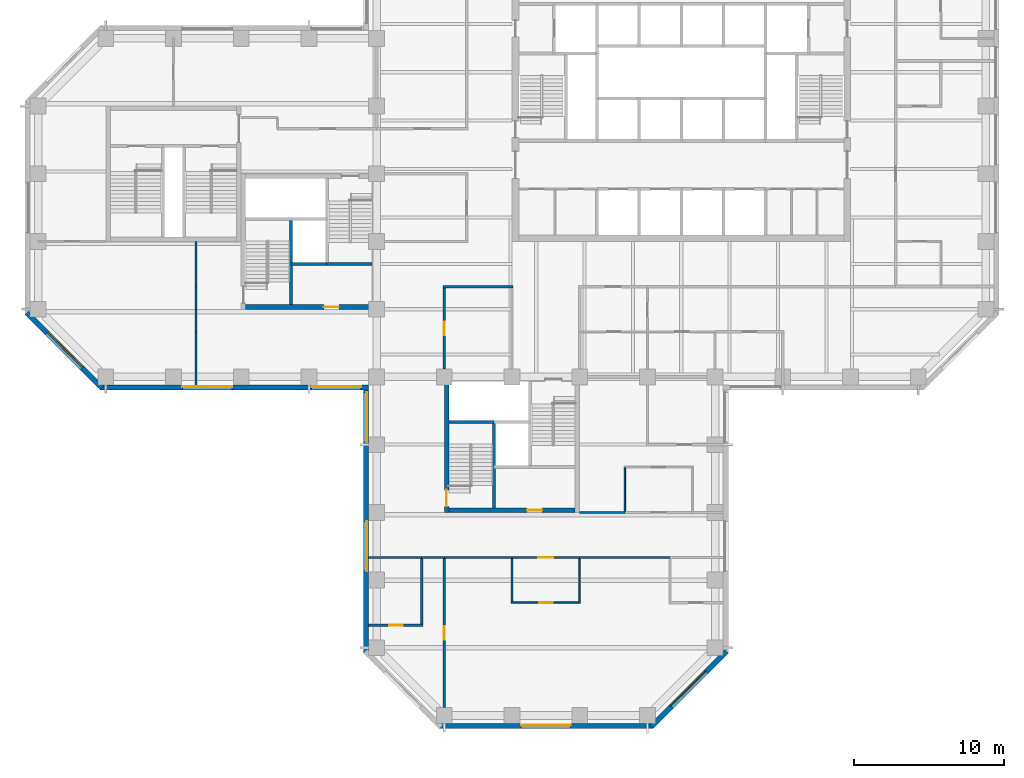
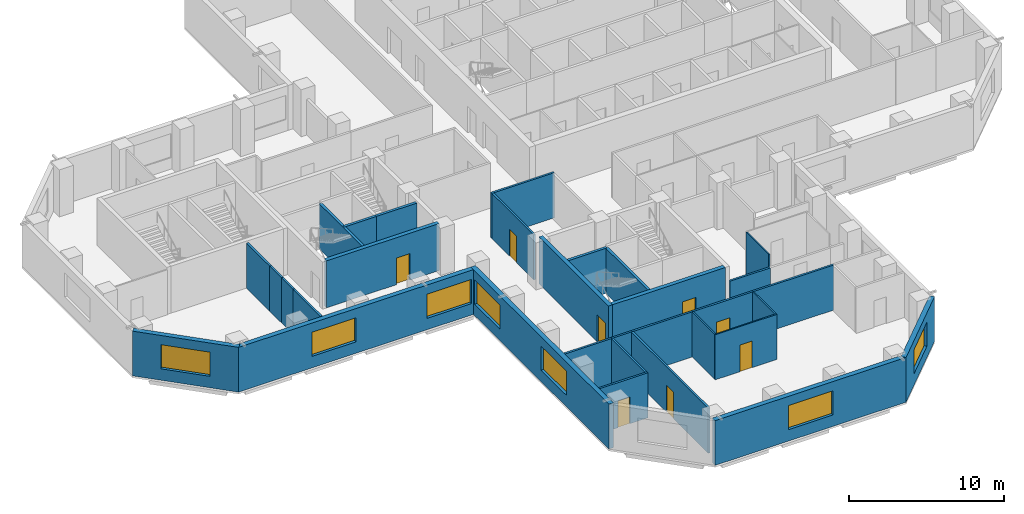
# One storey, part 3 of 11: 32 walls, 8 doors, 7 windows, 15 openings.
"""IFC4 building model written with IfcOpenShell, lengths in metres."""

from ifc_helpers import new_model, si_unit, direction, frame, frame_2d, origin, place, context, subcontext, project, spatial, rectangle, extrude, material, layer, layer_set, constituent, constituent_set, type_object, element, fill, save


model = new_model("IFC4")

# Units and contexts
model_context = context("Model", 3, precision=1e-05, world=origin(), true_north=direction((0.0, 1.0)))
body_context = subcontext(model_context, "Body", "Model", "MODEL_VIEW")
ifc_project = project(units=[si_unit("LENGTHUNIT", "METRE"), si_unit("AREAUNIT", "SQUARE_METRE"), si_unit("VOLUMEUNIT", "CUBIC_METRE"), si_unit("PLANEANGLEUNIT", "RADIAN"), si_unit("MASSUNIT", "GRAM", prefix="KILO")], contexts=[model_context])

# Site, building, storey
site_placement = place(None, origin())
site = spatial("IfcSite", under=ifc_project, at=site_placement, CompositionType="ELEMENT")
building_placement = place(site_placement, origin())
building = spatial("IfcBuilding", under=site, at=building_placement, Name="Quoin Convention Tower", CompositionType="ELEMENT")
storey_placement = place(building_placement, frame((0.0, 0.0, 93.699951171875)))
storey = spatial("IfcBuildingStorey", under=building, at=storey_placement, Name="L24", CompositionType="ELEMENT", Elevation=93.699951171875)

# Wall, opening, door
ifc_material_1 = material(Name="Plasterboard")
ifc_layer_1 = layer(ifc_material_1, 0.012451171875, Name="Finish")
ifc_material_2 = material(Name="Steel stud framing", Category="steel")
ifc_layer_2 = layer(ifc_material_2, 0.125, Name="Structure")
ifc_layer_3 = layer(ifc_material_1, 0.012451171875, Name="Finish")
ifc_layer_set_1 = layer_set([ifc_layer_1, ifc_layer_2, ifc_layer_3], Name="Steel stud framing")
wall_type_1 = type_object("IfcWallType", Name="Acoustic partition 150", PredefinedType="PARTITIONING", material=ifc_layer_set_1)
wall_1_placement = place(storey_placement, frame((35.47509765625, 24.0, 0.0), z_axis=(0.0, 0.0, 1.0), x_axis=(1.0, 0.0, 0.0)))
wall_1 = element("IfcWall", 1, at=wall_1_placement, inside=storey, type_object=wall_type_1, Name="pw-L24-001", PredefinedType="PARTITIONING", context=body_context, shape_type="SweptSolid", body=[
    extrude(rectangle(XDim=3.599853515625, YDim=0.14990234375, at=frame_2d((1.7998046875, 0.0))), origin(), (0.0, 0.0, 1.0), 3.550048828125),
])
opening_1_placement = place(wall_1_placement, frame((1.35009765625, 0.0, 0.0)))
opening_1 = element("IfcOpeningElement", 2, at=opening_1_placement, cuts=wall_1, Name="Opening DOL3-01", PredefinedType="OPENING", context=body_context, shape_type="SweptSolid", body=[
    extrude(rectangle(XDim=0.89990234375, YDim=2.10009765625, at=frame_2d((0.449951171875, 1.050048828125))), frame((0.0, 0.0849609375, 0.0), z_axis=(0.0, -1.0, 0.0), x_axis=(1.0, 0.0, 0.0)), (0.0, 0.0, 1.0), 0.169921875),
])
ifc_material_3 = material(Name="Steel door leaf", Category="steel")
door_type_1 = type_object("IfcDoorType", Name="Office door 900 x 2100", OperationType="SINGLE_SWING_RIGHT", PredefinedType="DOOR", material=ifc_material_3)
door_1_placement = place(opening_1_placement, frame((0.89990234375, 0.0, 0.0), z_axis=(0.0, 0.0, 1.0), x_axis=(-1.0, 0.0, 0.0)))
door_1 = element("IfcDoor", 3, at=door_1_placement, inside=storey, type_object=door_type_1, Name="dr-L24-11", OperationType="SINGLE_SWING_LEFT", OverallHeight=2.10009765625, OverallWidth=0.89990234375, PredefinedType="DOOR", context=body_context, shape_type="SweptSolid", body=[
    extrude(rectangle(XDim=0.89990234375, YDim=2.10009765625, at=frame_2d((0.449951171875, 1.050048828125))), frame((0.0, 0.02490234375, 0.0), z_axis=(0.0, -1.0, 0.0), x_axis=(1.0, 0.0, 0.0)), (0.0, 0.0, 1.0), 0.050048828125),
])
fill(opening_1, door_1)

wall_2_placement = place(storey_placement, frame((40.5, 18.52490234375, 0.0), z_axis=(0.0, 0.0, 1.0), x_axis=(0.0, 1.0, 0.0)))
wall_2 = element("IfcWall", 4, at=wall_2_placement, inside=storey, type_object=wall_type_1, Name="pw-L24-049", PredefinedType="PARTITIONING", context=body_context, shape_type="SweptSolid", body=[
    extrude(rectangle(XDim=9.900146484375, YDim=0.14990234375, at=frame_2d((4.9501953125, 0.0))), origin(), (0.0, 0.0, 1.0), 3.550048828125),
])
opening_2_placement = place(wall_2_placement, frame((4.5, 0.0, 0.0)))
opening_2 = element("IfcOpeningElement", 5, at=opening_2_placement, cuts=wall_2, Name="Opening DOL3-23", PredefinedType="OPENING", context=body_context, shape_type="SweptSolid", body=[
    extrude(rectangle(XDim=0.89990234375, YDim=2.10009765625, at=frame_2d((0.449951171875, 1.050048828125))), frame((0.0, 0.0849609375, 0.0), z_axis=(0.0, -1.0, 0.0), x_axis=(1.0, 0.0, 0.0)), (0.0, 0.0, 1.0), 0.169921875),
])
door_2_placement = place(opening_2_placement, frame((0.89990234375, 0.0, 0.0), z_axis=(0.0, 0.0, 1.0), x_axis=(-1.0, 0.0, 0.0)))
door_2 = element("IfcDoor", 6, at=door_2_placement, inside=storey, type_object=door_type_1, Name="dr-L24-10", OperationType="SINGLE_SWING_LEFT", OverallHeight=2.10009765625, OverallWidth=0.89990234375, PredefinedType="DOOR", context=body_context, shape_type="SweptSolid", body=[
    extrude(rectangle(XDim=0.89990234375, YDim=2.10009765625, at=frame_2d((0.449951171875, 1.050048828125))), frame((0.0, 0.02490234375, 0.0), z_axis=(0.0, -1.0, 0.0), x_axis=(1.0, 0.0, 0.0)), (0.0, 0.0, 1.0), 0.050048828125),
])
fill(opening_2, door_2)

# Wall
wall_3_placement = place(storey_placement, frame((39.0, 24.074951171875, 0.0), z_axis=(0.0, 0.0, 1.0), x_axis=(0.0, 1.0, 0.0)))
element("IfcWall", 7, at=wall_3_placement, inside=storey, type_object=wall_type_1, Name="pw-L24-050", PredefinedType="PARTITIONING", context=body_context, shape_type="SweptSolid", body=[
    extrude(rectangle(XDim=4.35009765625, YDim=0.14990234375, at=frame_2d((2.175048828125, 0.0))), origin(), (0.0, 0.0, 1.0), 3.550048828125),
])

# Wall, opening, window
ifc_material_4 = material(Name="Brick masonry", Category="masonry")
ifc_layer_4 = layer(ifc_material_4, 0.35009765625)
ifc_layer_set_2 = layer_set([ifc_layer_4], Name="Brick masonry")
wall_type_2 = type_object("IfcWallType", Name="Brick facade wall", PredefinedType="STANDARD", material=ifc_layer_set_2)
wall_4_placement = place(storey_placement, frame((12.748779296875, 44.76123046875, 0.0), z_axis=(0.0, 0.0, 1.0), x_axis=(0.707106781187, -0.707106781187, 0.0)))
wall_4 = element("IfcWall", 8, at=wall_4_placement, inside=storey, type_object=wall_type_2, Name="fw-L24-13500_45000", PredefinedType="STANDARD", context=body_context, shape_type="SweptSolid", body=[
    extrude(rectangle(XDim=7.088623046875, YDim=0.35009765625, at=frame_2d((3.54443359375, 0.0))), origin(), (0.0, 0.0, 1.0), 3.525146484375),
])
opening_3_placement = place(wall_4_placement, frame((1.894287109375, 0.0, 0.89990234375)))
opening_3 = element("IfcOpeningElement", 9, at=opening_3_placement, cuts=wall_4, Name="Opening W-02", PredefinedType="OPENING", context=body_context, shape_type="SweptSolid", body=[
    extrude(rectangle(XDim=3.300048828125, YDim=1.89990234375, at=frame_2d((1.64990234375, 0.949951171875))), frame((0.0, 0.18505859375, 0.0), z_axis=(0.0, -1.0, 0.0), x_axis=(1.0, 0.0, 0.0)), (0.0, 0.0, 1.0), 0.3701171875),
])
ifc_material_5 = material(Name="Aluminium", Category="aluminium")
ifc_constituent_1 = constituent(ifc_material_5, Name="Frame")
ifc_material_6 = material(Name="Insulated glass", Category="glass")
ifc_constituent_2 = constituent(ifc_material_6, Name="Glazing")
ifc_constituent_set = constituent_set(constituents=[ifc_constituent_1, ifc_constituent_2], Name="Aluminium")
window_type = type_object("IfcWindowType", Name="Office window", PartitioningType="DOUBLE_PANEL_VERTICAL", PredefinedType="WINDOW", material=ifc_constituent_set)
window_1_placement = place(opening_3_placement, origin())
window_1 = element("IfcWindow", 10, at=window_1_placement, inside=storey, type_object=window_type, Name="win-L24-15255_42255", OverallHeight=1.89990234375, OverallWidth=3.300048828125, PartitioningType="SINGLE_PANEL", PredefinedType="WINDOW", context=body_context, shape_type="SweptSolid", body=[
    extrude(rectangle(XDim=3.300048828125, YDim=1.89990234375, at=frame_2d((1.64990234375, 0.949951171875))), frame((0.0, 0.0849609375, 0.0), z_axis=(0.0, -1.0, 0.0), x_axis=(1.0, 0.0, 0.0)), (0.0, 0.0, 1.0), 0.06005859375),
])
fill(opening_3, window_1)

# Wall, openings, windows
wall_5_placement = place(storey_placement, frame((17.6376953125, 39.800048828125, 0.0), z_axis=(0.0, 0.0, 1.0), x_axis=(1.0, 0.0, 0.0)))
wall_5 = element("IfcWall", 11, at=wall_5_placement, inside=storey, type_object=wall_type_2, Name="fw-L24-18000_40500", PredefinedType="STANDARD", context=body_context, shape_type="SweptSolid", body=[
    extrude(rectangle(XDim=17.83740234375, YDim=0.35009765625, at=frame_2d((8.918701171875, 0.0))), origin(), (0.0, 0.0, 1.0), 3.525146484375),
])
opening_4_placement = place(wall_5_placement, frame((5.46240234375, 0.0, 0.89990234375)))
opening_4 = element("IfcOpeningElement", 12, at=opening_4_placement, cuts=wall_5, Name="Opening W-02", PredefinedType="OPENING", context=body_context, shape_type="SweptSolid", body=[
    extrude(rectangle(XDim=3.300048828125, YDim=1.89990234375, at=frame_2d((1.64990234375, 0.949951171875))), frame((0.0, 0.18505859375, 0.0), z_axis=(0.0, -1.0, 0.0), x_axis=(1.0, 0.0, 0.0)), (0.0, 0.0, 1.0), 0.3701171875),
])
opening_5_placement = place(wall_5_placement, frame((14.037353515625, 0.0, 0.89990234375)))
opening_5 = element("IfcOpeningElement", 13, at=opening_5_placement, cuts=wall_5, Name="Opening W-02", PredefinedType="OPENING", context=body_context, shape_type="SweptSolid", body=[
    extrude(rectangle(XDim=3.300048828125, YDim=1.89990234375, at=frame_2d((1.64990234375, 0.949951171875))), frame((0.0, 0.18505859375, 0.0), z_axis=(0.0, -1.0, 0.0), x_axis=(1.0, 0.0, 0.0)), (0.0, 0.0, 1.0), 0.3701171875),
])
window_2_placement = place(opening_4_placement, origin())
window_2 = element("IfcWindow", 14, at=window_2_placement, inside=storey, type_object=window_type, Name="win-L24-24750_39800", OverallHeight=1.89990234375, OverallWidth=3.300048828125, PartitioningType="SINGLE_PANEL", PredefinedType="WINDOW", context=body_context, shape_type="SweptSolid", body=[
    extrude(rectangle(XDim=3.300048828125, YDim=1.89990234375, at=frame_2d((1.64990234375, 0.949951171875))), frame((0.0, 0.0849609375, 0.0), z_axis=(0.0, -1.0, 0.0), x_axis=(1.0, 0.0, 0.0)), (0.0, 0.0, 1.0), 0.06005859375),
])
fill(opening_4, window_2)
window_3_placement = place(opening_5_placement, origin())
window_3 = element("IfcWindow", 15, at=window_3_placement, inside=storey, type_object=window_type, Name="win-L24-33750_39800", OverallHeight=1.89990234375, OverallWidth=3.300048828125, PartitioningType="SINGLE_PANEL", PredefinedType="WINDOW", context=body_context, shape_type="SweptSolid", body=[
    extrude(rectangle(XDim=3.300048828125, YDim=1.89990234375, at=frame_2d((1.64990234375, 0.949951171875))), frame((0.0, 0.0849609375, 0.0), z_axis=(0.0, -1.0, 0.0), x_axis=(1.0, 0.0, 0.0)), (0.0, 0.0, 1.0), 0.06005859375),
])
fill(opening_5, window_3)

wall_6_placement = place(storey_placement, frame((35.300048828125, 39.97509765625, 0.0), z_axis=(0.0, 0.0, 1.0), x_axis=(0.0, -1.0, 0.0)))
wall_6 = element("IfcWall", 16, at=wall_6_placement, inside=storey, type_object=wall_type_2, Name="fw-L24-36000_40500", PredefinedType="STANDARD", context=body_context, shape_type="SweptSolid", body=[
    extrude(rectangle(XDim=17.83740234375, YDim=0.35009765625, at=frame_2d((8.918701171875, 0.0))), origin(), (0.0, 0.0, 1.0), 3.525146484375),
])
opening_6_placement = place(wall_6_placement, frame((0.5, 0.0, 0.89990234375)))
opening_6 = element("IfcOpeningElement", 17, at=opening_6_placement, cuts=wall_6, Name="Opening W-02", PredefinedType="OPENING", context=body_context, shape_type="SweptSolid", body=[
    extrude(rectangle(XDim=3.300048828125, YDim=1.89990234375, at=frame_2d((1.64990234375, 0.949951171875))), frame((0.0, 0.18505859375, 0.0), z_axis=(0.0, -1.0, 0.0), x_axis=(1.0, 0.0, 0.0)), (0.0, 0.0, 1.0), 0.3701171875),
])
opening_7_placement = place(wall_6_placement, frame((9.074951171875, 0.0, 0.89990234375)))
opening_7 = element("IfcOpeningElement", 18, at=opening_7_placement, cuts=wall_6, Name="Opening W-02", PredefinedType="OPENING", context=body_context, shape_type="SweptSolid", body=[
    extrude(rectangle(XDim=3.300048828125, YDim=1.89990234375, at=frame_2d((1.64990234375, 0.949951171875))), frame((0.0, 0.18505859375, 0.0), z_axis=(0.0, -1.0, 0.0), x_axis=(1.0, 0.0, 0.0)), (0.0, 0.0, 1.0), 0.3701171875),
])
window_4_placement = place(opening_6_placement, origin())
window_4 = element("IfcWindow", 19, at=window_4_placement, inside=storey, type_object=window_type, Name="win-L24-35300_38250", OverallHeight=1.89990234375, OverallWidth=3.300048828125, PartitioningType="SINGLE_PANEL", PredefinedType="WINDOW", context=body_context, shape_type="SweptSolid", body=[
    extrude(rectangle(XDim=3.300048828125, YDim=1.89990234375, at=frame_2d((1.64990234375, 0.949951171875))), frame((0.0, 0.0849609375, 0.0), z_axis=(0.0, -1.0, 0.0), x_axis=(1.0, 0.0, 0.0)), (0.0, 0.0, 1.0), 0.06005859375),
])
fill(opening_6, window_4)
window_5_placement = place(opening_7_placement, origin())
window_5 = element("IfcWindow", 20, at=window_5_placement, inside=storey, type_object=window_type, Name="win-L24-35300_29250", OverallHeight=1.89990234375, OverallWidth=3.300048828125, PartitioningType="SINGLE_PANEL", PredefinedType="WINDOW", context=body_context, shape_type="SweptSolid", body=[
    extrude(rectangle(XDim=3.300048828125, YDim=1.89990234375, at=frame_2d((1.64990234375, 0.949951171875))), frame((0.0, 0.0849609375, 0.0), z_axis=(0.0, -1.0, 0.0), x_axis=(1.0, 0.0, 0.0)), (0.0, 0.0, 1.0), 0.06005859375),
])
fill(opening_7, window_5)

# Wall, opening, window
wall_7_placement = place(storey_placement, frame((40.1376953125, 17.300048828125, 0.0), z_axis=(0.0, 0.0, 1.0), x_axis=(1.0, 0.0, 0.0)))
wall_7 = element("IfcWall", 21, at=wall_7_placement, inside=storey, type_object=wall_type_2, Name="fw-L24-40500_18000", PredefinedType="STANDARD", context=body_context, shape_type="SweptSolid", body=[
    extrude(rectangle(XDim=14.224609375, YDim=0.35009765625, at=frame_2d((7.1123046875, 0.0))), origin(), (0.0, 0.0, 1.0), 3.525146484375),
])
opening_8_placement = place(wall_7_placement, frame((5.46240234375, 0.0, 0.89990234375)))
opening_8 = element("IfcOpeningElement", 22, at=opening_8_placement, cuts=wall_7, Name="Opening W-02", PredefinedType="OPENING", context=body_context, shape_type="SweptSolid", body=[
    extrude(rectangle(XDim=3.300048828125, YDim=1.89990234375, at=frame_2d((1.64990234375, 0.949951171875))), frame((0.0, 0.18505859375, 0.0), z_axis=(0.0, -1.0, 0.0), x_axis=(1.0, 0.0, 0.0)), (0.0, 0.0, 1.0), 0.3701171875),
])
window_6_placement = place(opening_8_placement, origin())
window_6 = element("IfcWindow", 23, at=window_6_placement, inside=storey, type_object=window_type, Name="win-L24-47250_17300", OverallHeight=1.89990234375, OverallWidth=3.300048828125, PartitioningType="SINGLE_PANEL", PredefinedType="WINDOW", context=body_context, shape_type="SweptSolid", body=[
    extrude(rectangle(XDim=3.300048828125, YDim=1.89990234375, at=frame_2d((1.64990234375, 0.949951171875))), frame((0.0, 0.0849609375, 0.0), z_axis=(0.0, -1.0, 0.0), x_axis=(1.0, 0.0, 0.0)), (0.0, 0.0, 1.0), 0.06005859375),
])
fill(opening_8, window_6)

wall_8_placement = place(storey_placement, frame((54.23876953125, 17.248779296875, 0.0), z_axis=(0.0, 0.0, 1.0), x_axis=(0.707106781187, 0.707106781187, 0.0)))
wall_8 = element("IfcWall", 24, at=wall_8_placement, inside=storey, type_object=wall_type_2, Name="fw-L24-54000_18000", PredefinedType="STANDARD", context=body_context, shape_type="SweptSolid", body=[
    extrude(rectangle(XDim=7.088623046875, YDim=0.35009765625, at=frame_2d((3.54443359375, 0.0))), origin(), (0.0, 0.0, 1.0), 3.525146484375),
])
opening_9_placement = place(wall_8_placement, frame((1.894287109375, 0.0, 0.89990234375)))
opening_9 = element("IfcOpeningElement", 25, at=opening_9_placement, cuts=wall_8, Name="Opening W-02", PredefinedType="OPENING", context=body_context, shape_type="SweptSolid", body=[
    extrude(rectangle(XDim=3.300048828125, YDim=1.89990234375, at=frame_2d((1.64990234375, 0.949951171875))), frame((0.0, 0.18505859375, 0.0), z_axis=(0.0, -1.0, 0.0), x_axis=(1.0, 0.0, 0.0)), (0.0, 0.0, 1.0), 0.3701171875),
])
window_7_placement = place(opening_9_placement, origin())
window_7 = element("IfcWindow", 26, at=window_7_placement, inside=storey, type_object=window_type, Name="win-L24-56745_19755", OverallHeight=1.89990234375, OverallWidth=3.300048828125, PartitioningType="SINGLE_PANEL", PredefinedType="WINDOW", context=body_context, shape_type="SweptSolid", body=[
    extrude(rectangle(XDim=3.300048828125, YDim=1.89990234375, at=frame_2d((1.64990234375, 0.949951171875))), frame((0.0, 0.0849609375, 0.0), z_axis=(0.0, -1.0, 0.0), x_axis=(1.0, 0.0, 0.0)), (0.0, 0.0, 1.0), 0.06005859375),
])
fill(opening_9, window_7)

# Walls
ifc_material_7 = material(Name="Concrete C50", Category="concrete")
ifc_layer_5 = layer(ifc_material_7, 0.199951171875)
ifc_layer_set_3 = layer_set([ifc_layer_5], Name="Concrete C50")
wall_type_3 = type_object("IfcWallType", Name="Core shaft wall", PredefinedType="SOLIDWALL", material=ifc_layer_set_3)
wall_9_placement = place(storey_placement, frame((30.300048828125, 48.0, 0.0), z_axis=(0.0, 0.0, 1.0), x_axis=(1.0, 0.0, 0.0)))
element("IfcWall", 27, at=wall_9_placement, inside=storey, type_object=wall_type_3, Name="cr-P2-L24-h3000_3300", PredefinedType="SOLIDWALL", context=body_context, shape_type="SweptSolid", body=[
    extrude(rectangle(XDim=2.39990234375, YDim=0.199951171875, at=frame_2d((1.199951171875, 0.0))), origin(), (0.0, 0.0, 1.0), 3.550048828125),
])
wall_10_placement = place(storey_placement, frame((32.699951171875, 48.0, 0.0), z_axis=(0.0, 0.0, 1.0), x_axis=(1.0, 0.0, 0.0)))
element("IfcWall", 28, at=wall_10_placement, inside=storey, type_object=wall_type_3, Name="cr-P2-L24-h3000_5700", PredefinedType="SOLIDWALL", context=body_context, shape_type="SweptSolid", body=[
    extrude(rectangle(XDim=3.0, YDim=0.199951171875, at=frame_2d((1.5, 0.0))), origin(), (0.0, 0.0, 1.0), 3.550048828125),
])
wall_11_placement = place(storey_placement, frame((30.300048828125, 45.300048828125, 0.0), z_axis=(0.0, 0.0, 1.0), x_axis=(0.0, 1.0, 0.0)))
element("IfcWall", 29, at=wall_11_placement, inside=storey, type_object=wall_type_3, Name="cr-P2-L24-v3300_300", PredefinedType="SOLIDWALL", context=body_context, shape_type="SweptSolid", body=[
    extrude(rectangle(XDim=5.699951171875, YDim=0.199951171875, at=frame_2d((2.85009765625, 0.0))), origin(), (0.0, 0.0, 1.0), 3.550048828125),
])
wall_12_placement = place(storey_placement, frame((40.800048828125, 37.5, 0.0), z_axis=(0.0, 0.0, 1.0), x_axis=(1.0, 0.0, 0.0)))
element("IfcWall", 30, at=wall_12_placement, inside=storey, type_object=wall_type_3, Name="cr-P3-L24-h6000_300", PredefinedType="SOLIDWALL", context=body_context, shape_type="SweptSolid", body=[
    extrude(rectangle(XDim=3.0, YDim=0.199951171875, at=frame_2d((1.5, 0.0))), origin(), (0.0, 0.0, 1.0), 3.550048828125),
])
wall_13_placement = place(storey_placement, frame((43.800048828125, 31.800048828125, 0.0), z_axis=(0.0, 0.0, 1.0), x_axis=(0.0, 1.0, 0.0)))
element("IfcWall", 31, at=wall_13_placement, inside=storey, type_object=wall_type_3, Name="cr-P3-L24-v3300_300", PredefinedType="SOLIDWALL", context=body_context, shape_type="SweptSolid", body=[
    extrude(rectangle(XDim=5.699951171875, YDim=0.199951171875, at=frame_2d((2.85009765625, 0.0))), origin(), (0.0, 0.0, 1.0), 3.550048828125),
])
ifc_layer_6 = layer(ifc_material_1, 0.012451171875, Name="Finish")
ifc_layer_7 = layer(ifc_material_2, 0.125, Name="Structure")
ifc_layer_8 = layer(ifc_material_1, 0.012451171875, Name="Finish")
ifc_layer_set_4 = layer_set([ifc_layer_6, ifc_layer_7, ifc_layer_8], Name="Steel stud framing")
wall_type_4 = type_object("IfcWallType", Name="Corridor wall 150", PredefinedType="PARTITIONING", material=ifc_layer_set_4)
wall_14_placement = place(storey_placement, frame((35.47509765625, 28.5, 0.0), z_axis=(0.0, 0.0, 1.0), x_axis=(1.0, 0.0, 0.0)))
element("IfcWall", 32, at=wall_14_placement, inside=storey, type_object=wall_type_4, Name="pw-L24-004", PredefinedType="PARTITIONING", context=body_context, shape_type="SweptSolid", body=[
    extrude(rectangle(XDim=3.52490234375, YDim=0.14990234375, at=frame_2d((1.762451171875, 0.0))), origin(), (0.0, 0.0, 1.0), 3.550048828125),
])
wall_15_placement = place(storey_placement, frame((39.0, 28.5, 0.0), z_axis=(0.0, 0.0, 1.0), x_axis=(1.0, 0.0, 0.0)))
element("IfcWall", 33, at=wall_15_placement, inside=storey, type_object=wall_type_4, Name="pw-L24-005", PredefinedType="PARTITIONING", context=body_context, shape_type="SweptSolid", body=[
    extrude(rectangle(XDim=1.5, YDim=0.14990234375, at=frame_2d((0.75, 0.0))), origin(), (0.0, 0.0, 1.0), 3.550048828125),
])
wall_16_placement = place(storey_placement, frame((40.5, 28.5, 0.0), z_axis=(0.0, 0.0, 1.0), x_axis=(1.0, 0.0, 0.0)))
element("IfcWall", 34, at=wall_16_placement, inside=storey, type_object=wall_type_4, Name="pw-L24-006", PredefinedType="PARTITIONING", context=body_context, shape_type="SweptSolid", body=[
    extrude(rectangle(XDim=4.5, YDim=0.14990234375, at=frame_2d((2.25, 0.0))), origin(), (0.0, 0.0, 1.0), 3.550048828125),
])

# Wall, opening, door
wall_17_placement = place(storey_placement, frame((45.0, 28.5, 0.0), z_axis=(0.0, 0.0, 1.0), x_axis=(1.0, 0.0, 0.0)))
wall_17 = element("IfcWall", 35, at=wall_17_placement, inside=storey, type_object=wall_type_4, Name="pw-L24-007", PredefinedType="PARTITIONING", context=body_context, shape_type="SweptSolid", body=[
    extrude(rectangle(XDim=4.5, YDim=0.14990234375, at=frame_2d((2.25, 0.0))), origin(), (0.0, 0.0, 1.0), 3.550048828125),
])
opening_10_placement = place(wall_17_placement, frame((1.75, 0.0, 0.0)))
opening_10 = element("IfcOpeningElement", 36, at=opening_10_placement, cuts=wall_17, Name="Opening DOL3-04", PredefinedType="OPENING", context=body_context, shape_type="SweptSolid", body=[
    extrude(rectangle(XDim=1.0, YDim=2.10009765625, at=frame_2d((0.5, 1.050048828125))), frame((0.0, 0.0849609375, 0.0), z_axis=(0.0, -1.0, 0.0), x_axis=(1.0, 0.0, 0.0)), (0.0, 0.0, 1.0), 0.169921875),
])
door_type_2 = type_object("IfcDoorType", Name="Tenancy entrance door 1000 x 2100", OperationType="DOUBLE_DOOR_SINGLE_SWING", PredefinedType="DOOR", material=ifc_material_3)
door_3_placement = place(opening_10_placement, frame((1.0, 0.0, 0.0), z_axis=(0.0, 0.0, 1.0), x_axis=(-1.0, 0.0, 0.0)))
door_3 = element("IfcDoor", 37, at=door_3_placement, inside=storey, type_object=door_type_2, Name="dr-L24-07", OperationType="DOUBLE_DOOR_SINGLE_SWING", OverallHeight=2.10009765625, OverallWidth=1.0, PredefinedType="DOOR", context=body_context, shape_type="SweptSolid", body=[
    extrude(rectangle(XDim=1.0, YDim=2.10009765625, at=frame_2d((0.5, 1.050048828125))), frame((0.0, 0.02490234375, 0.0), z_axis=(0.0, -1.0, 0.0), x_axis=(1.0, 0.0, 0.0)), (0.0, 0.0, 1.0), 0.050048828125),
])
fill(opening_10, door_3)

# Walls
wall_18_placement = place(storey_placement, frame((49.5, 28.5, 0.0), z_axis=(0.0, 0.0, 1.0), x_axis=(1.0, 0.0, 0.0)))
element("IfcWall", 38, at=wall_18_placement, inside=storey, type_object=wall_type_4, Name="pw-L24-008", PredefinedType="PARTITIONING", context=body_context, shape_type="SweptSolid", body=[
    extrude(rectangle(XDim=6.0, YDim=0.14990234375, at=frame_2d((3.0, 0.0))), origin(), (0.0, 0.0, 1.0), 3.550048828125),
])
wall_19_placement = place(storey_placement, frame((40.425048828125, 46.5, 0.0), z_axis=(0.0, 0.0, 1.0), x_axis=(1.0, 0.0, 0.0)))
element("IfcWall", 39, at=wall_19_placement, inside=storey, type_object=wall_type_4, Name="pw-L24-023", PredefinedType="PARTITIONING", context=body_context, shape_type="SweptSolid", body=[
    extrude(rectangle(XDim=4.64990234375, YDim=0.14990234375, at=frame_2d((2.324951171875, 0.0))), origin(), (0.0, 0.0, 1.0), 3.550048828125),
])
wall_20_placement = place(storey_placement, frame((24.0, 39.97509765625, 0.0), z_axis=(0.0, 0.0, 1.0), x_axis=(0.0, 1.0, 0.0)))
element("IfcWall", 40, at=wall_20_placement, inside=storey, type_object=wall_type_4, Name="pw-L24-058", PredefinedType="PARTITIONING", context=body_context, shape_type="SweptSolid", body=[
    extrude(rectangle(XDim=3.52490234375, YDim=0.14990234375, at=frame_2d((1.762451171875, 0.0))), origin(), (0.0, 0.0, 1.0), 3.550048828125),
])

# Wall, opening, door
wall_21_placement = place(storey_placement, frame((40.5, 41.02490234375, 0.0), z_axis=(0.0, 0.0, 1.0), x_axis=(0.0, 1.0, 0.0)))
wall_21 = element("IfcWall", 41, at=wall_21_placement, inside=storey, type_object=wall_type_4, Name="pw-L24-060", PredefinedType="PARTITIONING", context=body_context, shape_type="SweptSolid", body=[
    extrude(rectangle(XDim=5.400146484375, YDim=0.14990234375, at=frame_2d((2.7001953125, 0.0))), origin(), (0.0, 0.0, 1.0), 3.550048828125),
])
opening_11_placement = place(wall_21_placement, frame((2.25, 0.0, 0.0)))
opening_11 = element("IfcOpeningElement", 42, at=opening_11_placement, cuts=wall_21, Name="Opening DOL3-24", PredefinedType="OPENING", context=body_context, shape_type="SweptSolid", body=[
    extrude(rectangle(XDim=0.89990234375, YDim=2.10009765625, at=frame_2d((0.449951171875, 1.050048828125))), frame((0.0, 0.0849609375, 0.0), z_axis=(0.0, -1.0, 0.0), x_axis=(1.0, 0.0, 0.0)), (0.0, 0.0, 1.0), 0.169921875),
])
door_4_placement = place(opening_11_placement, frame((0.89990234375, 0.0, 0.0), z_axis=(0.0, 0.0, 1.0), x_axis=(-1.0, 0.0, 0.0)))
door_4 = element("IfcDoor", 43, at=door_4_placement, inside=storey, type_object=door_type_1, Name="dr-L24-02", OperationType="SINGLE_SWING_LEFT", OverallHeight=2.10009765625, OverallWidth=0.89990234375, PredefinedType="DOOR", context=body_context, shape_type="SweptSolid", body=[
    extrude(rectangle(XDim=0.89990234375, YDim=2.10009765625, at=frame_2d((0.449951171875, 1.050048828125))), frame((0.0, 0.02490234375, 0.0), z_axis=(0.0, -1.0, 0.0), x_axis=(1.0, 0.0, 0.0)), (0.0, 0.0, 1.0), 0.050048828125),
])
fill(opening_11, door_4)

# Walls
for number, where, z_axis, x_axis, name in (
    (44, (24.0, 43.5, 0.0), (0.0, 0.0, 1.0), (0.0, 1.0, 0.0), "pw-L24-065"),
    (45, (24.0, 45.0, 0.0), (0.0, 0.0, 1.0), (0.0, 1.0, 0.0), "pw-L24-068"),
):
    element("IfcWall", number, at=place(storey_placement, frame(where, z_axis=z_axis, x_axis=x_axis)), inside=storey, type_object=wall_type_4, Name=name, PredefinedType="PARTITIONING", context=body_context, shape_type="SweptSolid", body=[
        extrude(rectangle(XDim=1.5, YDim=0.14990234375, at=frame_2d((0.75, 0.0))), origin(), (0.0, 0.0, 1.0), 3.550048828125),
    ])
wall_22_placement = place(storey_placement, frame((24.0, 46.5, 0.0), z_axis=(0.0, 0.0, 1.0), x_axis=(0.0, 1.0, 0.0)))
element("IfcWall", 46, at=wall_22_placement, inside=storey, type_object=wall_type_4, Name="pw-L24-069", PredefinedType="PARTITIONING", context=body_context, shape_type="SweptSolid", body=[
    extrude(rectangle(XDim=3.0, YDim=0.14990234375, at=frame_2d((1.5, 0.0))), origin(), (0.0, 0.0, 1.0), 3.550048828125),
])
ifc_layer_9 = layer(ifc_material_1, 0.012451171875, Name="Finish")
ifc_layer_10 = layer(ifc_material_2, 0.125, Name="Structure")
ifc_layer_11 = layer(ifc_material_1, 0.012451171875, Name="Finish")
ifc_layer_set_5 = layer_set([ifc_layer_9, ifc_layer_10, ifc_layer_11], Name="Steel stud framing")
wall_type_5 = type_object("IfcWallType", Name="Corridor wall 150 under beam 1000", PredefinedType="PARTITIONING", material=ifc_layer_set_5)
wall_23_placement = place(storey_placement, frame((49.5, 31.5, 0.0), z_axis=(0.0, 0.0, 1.0), x_axis=(1.0, 0.0, 0.0)))
element("IfcWall", 47, at=wall_23_placement, inside=storey, type_object=wall_type_5, Name="pw-L24-010", PredefinedType="PARTITIONING", context=body_context, shape_type="SweptSolid", body=[
    extrude(rectangle(XDim=3.0, YDim=0.14990234375, at=frame_2d((1.5, 0.0))), origin(), (0.0, 0.0, 1.0), 2.550048828125),
])

# Wall, opening, door
ifc_material_8 = material(Name="Concrete C65", Category="concrete")
ifc_layer_12 = layer(ifc_material_8, 0.300048828125)
ifc_layer_set_6 = layer_set([ifc_layer_12], Name="Concrete C65")
wall_type_6 = type_object("IfcWallType", Name="RC CORE WALL 300 C65", PredefinedType="SHEAR", material=ifc_layer_set_6)
wall_24_placement = place(storey_placement, frame((27.300048828125, 45.14990234375, 0.0), z_axis=(0.0, 0.0, 1.0), x_axis=(1.0, 0.0, 0.0)))
wall_24 = element("IfcWall", 48, at=wall_24_placement, inside=storey, type_object=wall_type_6, Name="cwl-P2-L24-S", PredefinedType="SHEAR", context=body_context, shape_type="SweptSolid", body=[
    extrude(rectangle(XDim=8.39990234375, YDim=0.300048828125, at=frame_2d((4.199951171875, 0.0))), origin(), (0.0, 0.0, 1.0), 3.699951171875),
])
opening_12_placement = place(wall_24_placement, frame((5.199951171875, 0.0, 0.0)))
opening_12 = element("IfcOpeningElement", 49, at=opening_12_placement, cuts=wall_24, Name="Opening DCV2-41", PredefinedType="OPENING", context=body_context, shape_type="SweptSolid", body=[
    extrude(rectangle(XDim=1.0, YDim=2.10009765625, at=frame_2d((0.5, 1.050048828125))), frame((0.0, 0.159912109375, 0.0), z_axis=(0.0, -1.0, 0.0), x_axis=(1.0, 0.0, 0.0)), (0.0, 0.0, 1.0), 0.320068359375),
])
door_type_3 = type_object("IfcDoorType", Name="Service door 1000 x 2100", OperationType="SINGLE_SWING_LEFT", PredefinedType="DOOR", material=ifc_material_3)
door_5_placement = place(opening_12_placement, origin())
door_5 = element("IfcDoor", 50, at=door_5_placement, inside=storey, type_object=door_type_3, Name="cd-P2-L24-R2-S", OperationType="SINGLE_SWING_LEFT", OverallHeight=2.10009765625, OverallWidth=1.0, PredefinedType="DOOR", context=body_context, shape_type="SweptSolid", body=[
    extrude(rectangle(XDim=1.0, YDim=2.10009765625, at=frame_2d((0.5, 1.050048828125))), frame((0.0, 0.02490234375, 0.0), z_axis=(0.0, -1.0, 0.0), x_axis=(1.0, 0.0, 0.0)), (0.0, 0.0, 1.0), 0.050048828125),
])
fill(opening_12, door_5)

wall_25_placement = place(storey_placement, frame((40.800048828125, 31.64990234375, 0.0), z_axis=(0.0, 0.0, 1.0), x_axis=(1.0, 0.0, 0.0)))
wall_25 = element("IfcWall", 51, at=wall_25_placement, inside=storey, type_object=wall_type_6, Name="cwl-P3-L24-S", PredefinedType="SHEAR", context=body_context, shape_type="SweptSolid", body=[
    extrude(rectangle(XDim=8.39990234375, YDim=0.300048828125, at=frame_2d((4.199951171875, 0.0))), origin(), (0.0, 0.0, 1.0), 3.699951171875),
])
opening_13_placement = place(wall_25_placement, frame((5.199951171875, 0.0, 0.0)))
opening_13 = element("IfcOpeningElement", 52, at=opening_13_placement, cuts=wall_25, Name="Opening DCV2-42", PredefinedType="OPENING", context=body_context, shape_type="SweptSolid", body=[
    extrude(rectangle(XDim=1.0, YDim=2.10009765625, at=frame_2d((0.5, 1.050048828125))), frame((0.0, 0.159912109375, 0.0), z_axis=(0.0, -1.0, 0.0), x_axis=(1.0, 0.0, 0.0)), (0.0, 0.0, 1.0), 0.320068359375),
])
door_6_placement = place(opening_13_placement, origin())
door_6 = element("IfcDoor", 53, at=door_6_placement, inside=storey, type_object=door_type_3, Name="cd-P3-L24-R2-S", OperationType="SINGLE_SWING_LEFT", OverallHeight=2.10009765625, OverallWidth=1.0, PredefinedType="DOOR", context=body_context, shape_type="SweptSolid", body=[
    extrude(rectangle(XDim=1.0, YDim=2.10009765625, at=frame_2d((0.5, 1.050048828125))), frame((0.0, 0.02490234375, 0.0), z_axis=(0.0, -1.0, 0.0), x_axis=(1.0, 0.0, 0.0)), (0.0, 0.0, 1.0), 0.050048828125),
])
fill(opening_13, door_6)

wall_26_placement = place(storey_placement, frame((40.64990234375, 31.5, 0.0), z_axis=(0.0, 0.0, 1.0), x_axis=(0.0, 1.0, 0.0)))
wall_26 = element("IfcWall", 54, at=wall_26_placement, inside=storey, type_object=wall_type_6, Name="cwl-P3-L24-W", PredefinedType="SHEAR", context=body_context, shape_type="SweptSolid", body=[
    extrude(rectangle(XDim=9.0, YDim=0.300048828125, at=frame_2d((4.5, 0.0))), origin(), (0.0, 0.0, 1.0), 3.699951171875),
])
opening_14_placement = place(wall_26_placement, frame((0.39990234375, 0.0, 0.0)))
opening_14 = element("IfcOpeningElement", 55, at=opening_14_placement, cuts=wall_26, Name="Opening SD5", PredefinedType="OPENING", context=body_context, shape_type="SweptSolid", body=[
    extrude(rectangle(XDim=1.10009765625, YDim=2.10009765625, at=frame_2d((0.550048828125, 1.050048828125))), frame((0.0, 0.159912109375, 0.0), z_axis=(0.0, -1.0, 0.0), x_axis=(1.0, 0.0, 0.0)), (0.0, 0.0, 1.0), 0.320068359375),
])
door_type_4 = type_object("IfcDoorType", Name="Stair door 1100 x 2100", OperationType="SINGLE_SWING_RIGHT", PredefinedType="DOOR", material=ifc_material_3)
door_7_placement = place(opening_14_placement, frame((1.10009765625, 0.0, 0.0), z_axis=(0.0, 0.0, 1.0), x_axis=(-1.0, 0.0, 0.0)))
door_7 = element("IfcDoor", 56, at=door_7_placement, inside=storey, type_object=door_type_4, Name="cd-P3-L24-SA-W", OperationType="SINGLE_SWING_RIGHT", OverallHeight=2.10009765625, OverallWidth=1.10009765625, PredefinedType="DOOR", context=body_context, shape_type="SweptSolid", body=[
    extrude(rectangle(XDim=1.10009765625, YDim=2.10009765625, at=frame_2d((0.550048828125, 1.050048828125))), frame((0.0, 0.02490234375, 0.0), z_axis=(0.0, -1.0, 0.0), x_axis=(1.0, 0.0, 0.0)), (0.0, 0.0, 1.0), 0.050048828125),
])
fill(opening_14, door_7)

ifc_layer_13 = layer(ifc_material_1, 0.012451171875, Name="Finish")
ifc_layer_14 = layer(ifc_material_2, 0.074951171875, Name="Structure")
ifc_layer_15 = layer(ifc_material_1, 0.012451171875, Name="Finish")
ifc_layer_set_7 = layer_set([ifc_layer_13, ifc_layer_14, ifc_layer_15], Name="Steel stud framing")
wall_type_7 = type_object("IfcWallType", Name="Stud partition 100", PredefinedType="PARTITIONING", material=ifc_layer_set_7)
wall_27_placement = place(storey_placement, frame((44.949951171875, 25.5, 0.0), z_axis=(0.0, 0.0, 1.0), x_axis=(1.0, 0.0, 0.0)))
wall_27 = element("IfcWall", 57, at=wall_27_placement, inside=storey, type_object=wall_type_7, Name="pw-L24-002", PredefinedType="PARTITIONING", context=body_context, shape_type="SweptSolid", body=[
    extrude(rectangle(XDim=4.60009765625, YDim=0.10009765625, at=frame_2d((2.300048828125, 0.0))), origin(), (0.0, 0.0, 1.0), 3.550048828125),
])
opening_15_placement = place(wall_27_placement, frame((1.85009765625, 0.0, 0.0)))
opening_15 = element("IfcOpeningElement", 58, at=opening_15_placement, cuts=wall_27, Name="Opening DOL3-02", PredefinedType="OPENING", context=body_context, shape_type="SweptSolid", body=[
    extrude(rectangle(XDim=0.89990234375, YDim=2.10009765625, at=frame_2d((0.449951171875, 1.050048828125))), frame((0.0, 0.06005859375, 0.0), z_axis=(0.0, -1.0, 0.0), x_axis=(1.0, 0.0, 0.0)), (0.0, 0.0, 1.0), 0.1201171875),
])
door_8_placement = place(opening_15_placement, frame((0.89990234375, 0.0, 0.0), z_axis=(0.0, 0.0, 1.0), x_axis=(-1.0, 0.0, 0.0)))
door_8 = element("IfcDoor", 59, at=door_8_placement, inside=storey, type_object=door_type_1, Name="dr-L24-08", OperationType="SINGLE_SWING_LEFT", OverallHeight=2.10009765625, OverallWidth=0.89990234375, PredefinedType="DOOR", context=body_context, shape_type="SweptSolid", body=[
    extrude(rectangle(XDim=0.89990234375, YDim=2.10009765625, at=frame_2d((0.449951171875, 1.050048828125))), frame((0.0, 0.02490234375, 0.0), z_axis=(0.0, -1.0, 0.0), x_axis=(1.0, 0.0, 0.0)), (0.0, 0.0, 1.0), 0.050048828125),
])
fill(opening_15, door_8)

# Walls
for number, where, z_axis, x_axis, name in (
    (60, (45.0, 25.550048828125, 0.0), (0.0, 0.0, 1.0), (0.0, 1.0, 0.0), "pw-L24-051"),
    (61, (49.5, 25.550048828125, 0.0), (0.0, 0.0, 1.0), (0.0, 1.0, 0.0), "pw-L24-052"),
    (62, (52.5, 31.574951171875, 0.0), (0.0, 0.0, 1.0), (0.0, 1.0, 0.0), "pw-L24-054"),
):
    element("IfcWall", number, at=place(storey_placement, frame(where, z_axis=z_axis, x_axis=x_axis)), inside=storey, type_object=wall_type_7, Name=name, PredefinedType="PARTITIONING", context=body_context, shape_type="SweptSolid", body=[
        extrude(rectangle(XDim=2.875, YDim=0.10009765625, at=frame_2d((1.4375, 0.0))), origin(), (0.0, 0.0, 1.0), 3.550048828125),
    ])

save(model, "model.ifc")
